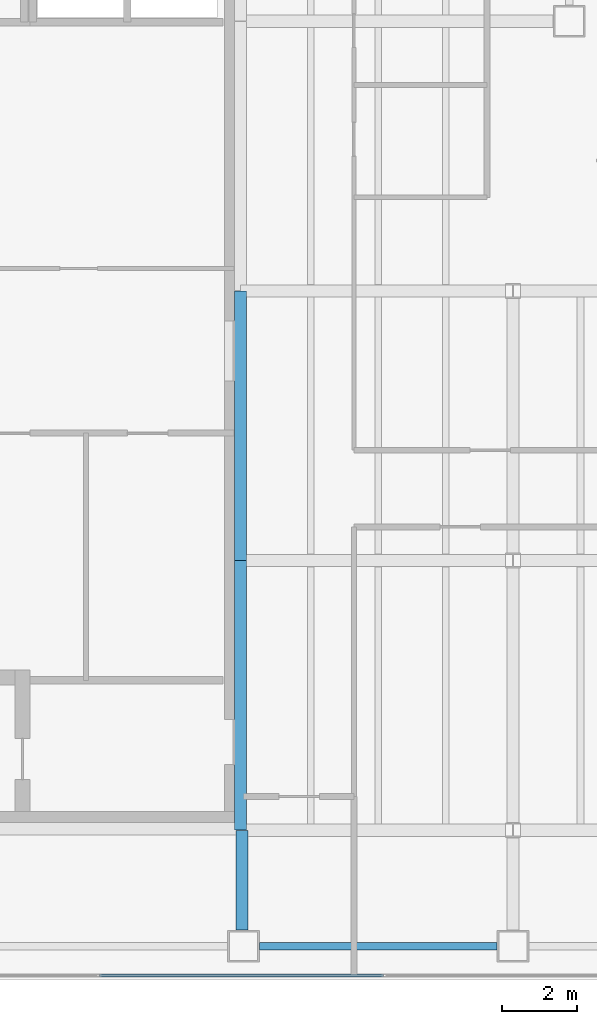
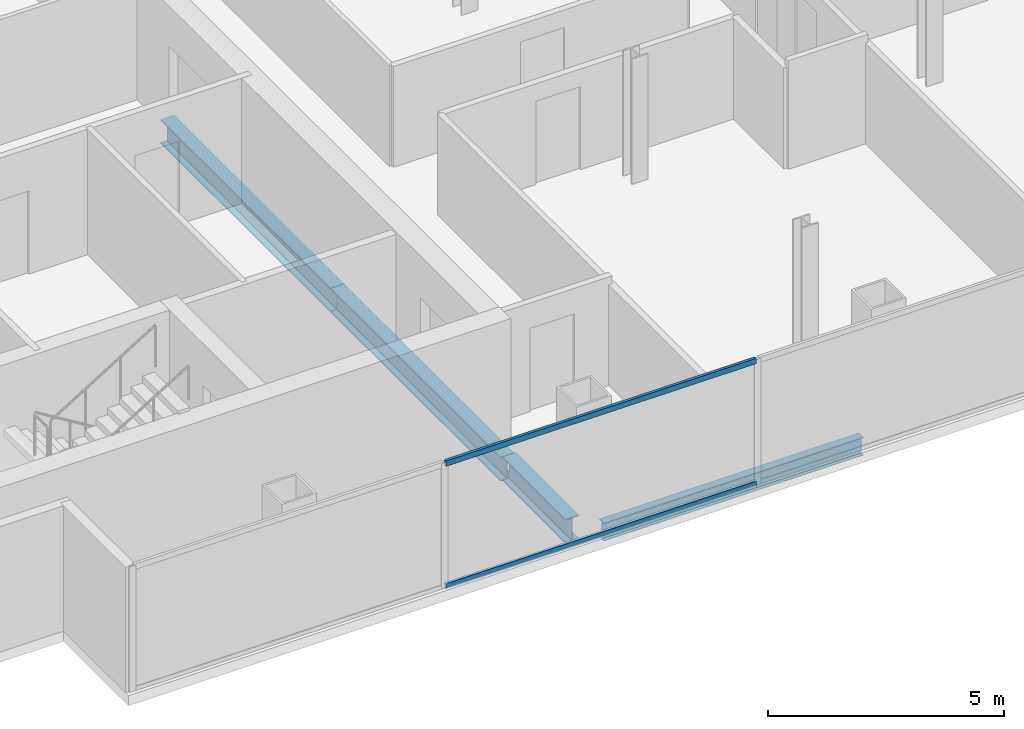
# One storey, part 3 of 23: 4 beams, 2 members, 1 element without a shape of its own.
"""IFC4 building model written with IfcOpenShell, lengths in metres."""

from ifc_helpers import new_model, si_unit, direction, frame, origin, origin_2d, place, context, subcontext, project, spatial, hollow_rectangle, i_section, extrude, material, material_profile, profile_set, type_object, element, aggregate, save


model = new_model("IFC4")

# Units and contexts
model_context = context("Model", 3, precision=1e-05, world=origin(), true_north=direction((0.0, 1.0)))
body_context = subcontext(model_context, "Body", "Model", "MODEL_VIEW")
ifc_project = project(units=[si_unit("LENGTHUNIT", "METRE"), si_unit("AREAUNIT", "SQUARE_METRE"), si_unit("VOLUMEUNIT", "CUBIC_METRE"), si_unit("PLANEANGLEUNIT", "RADIAN"), si_unit("MASSUNIT", "GRAM", prefix="KILO")], contexts=[model_context])

# Site, building, storey
site_placement = place(None, origin())
site = spatial("IfcSite", under=ifc_project, at=site_placement, CompositionType="ELEMENT")
building_placement = place(site_placement, origin())
building = spatial("IfcBuilding", under=site, at=building_placement, Name="Cobrela Telecom Tower", CompositionType="ELEMENT")
storey_placement = place(building_placement, frame((0.0, 0.0, 180.25)))
storey = spatial("IfcBuildingStorey", under=building, at=storey_placement, Name="L45", CompositionType="ELEMENT", Elevation=180.25)

# Beams
ifc_material_1 = material(Name="Steel ASTM A992 Grade 50", Category="steel")
ifc_material_profile_1 = material_profile(ifc_material_1, i_section(OverallWidth=0.327880859375, OverallDepth=0.6220703125, WebThickness=0.015380859375, FlangeThickness=0.0244140625, FilletRadius=0.014892578125, at=origin_2d()), Name="W24X131")
ifc_profile_set_1 = profile_set([ifc_material_profile_1], Name="Steel ASTM A992 Grade 50")
beam_type_1 = type_object("IfcBeamType", Name="BM-GIRD-06", PredefinedType="USERDEFINED", material=ifc_profile_set_1)
beam_1_placement = place(storey_placement, frame((14.360107421875, 4.530029296875, -0.571044921875), z_axis=(0.0, 1.0, 0.0), x_axis=(-1.0, 0.0, 0.0)))
element("IfcBeam", 1, at=beam_1_placement, inside=storey, type_object=beam_type_1, Name="L45 Primary Girder Y26", ObjectType="GIRDER", PredefinedType="USERDEFINED", context=body_context, shape_type="SweptSolid", body=[
    extrude(i_section(OverallWidth=0.327880859375, OverallDepth=0.6220703125, WebThickness=0.015380859375, FlangeThickness=0.0244140625, FilletRadius=0.014892578125, at=origin_2d()), origin(), (0.0, 0.0, 1.0), 2.6650390625),
])
for number, where, z_axis, x_axis, name in (
    (2, (14.320068359375, 7.205078125, -0.571044921875), (0.0, 1.0, 0.0), (-1.0, 0.0, 0.0), "L45 Primary Girder Y27"),
    (3, (14.320068359375, 14.405029296875, -0.571044921875), (0.0, 1.0, 0.0), (-1.0, 0.0, 0.0), "L45 Primary Girder Y28"),
):
    element("IfcBeam", number, at=place(storey_placement, frame(where, z_axis=z_axis, x_axis=x_axis)), inside=storey, type_object=beam_type_1, Name=name, ObjectType="GIRDER", PredefinedType="USERDEFINED", context=body_context, shape_type="SweptSolid", body=[
        extrude(i_section(OverallWidth=0.327880859375, OverallDepth=0.6220703125, WebThickness=0.015380859375, FlangeThickness=0.0244140625, FilletRadius=0.014892578125, at=origin_2d()), origin(), (0.0, 0.0, 1.0), 7.18994140625),
    ])
ifc_material_profile_2 = material_profile(ifc_material_1, i_section(OverallWidth=0.193115234375, OverallDepth=0.467041015625, WebThickness=0.011474609375, FlangeThickness=0.01904296875, FilletRadius=0.012939453125, at=origin_2d()), Name="W18X65")
ifc_profile_set_2 = profile_set([ifc_material_profile_2], Name="Steel ASTM A992 Grade 50")
beam_type_2 = type_object("IfcBeamType", Name="BM-SPAND-05", PredefinedType="SPANDREL", material=ifc_profile_set_2)
beam_2_placement = place(storey_placement, frame((14.830078125, 4.10009765625, -0.493408203125), z_axis=(1.0, 0.0, 0.0), x_axis=(0.0, 1.0, 0.0)))
element("IfcBeam", 4, at=beam_2_placement, inside=storey, type_object=beam_type_2, Name="L45 Perimeter Spandrel X02", PredefinedType="SPANDREL", context=body_context, shape_type="SweptSolid", body=[
    extrude(i_section(OverallWidth=0.193115234375, OverallDepth=0.467041015625, WebThickness=0.011474609375, FlangeThickness=0.01904296875, FilletRadius=0.012939453125, at=origin_2d()), origin(), (0.0, 0.0, 1.0), 6.33984375),
])

# Curtain wall, members
ifc_material_2 = material(Name="Anodized Bronze Aluminium 6063-T6", Category="aluminium")
curtain_wall_type = type_object("IfcCurtainWallType", Name="CW-SYS-OFF-LO", PredefinedType="USERDEFINED", material=ifc_material_2)
curtain_wall_placement = place(storey_placement, origin())
curtain_wall = element("IfcCurtainWall", 5, at=curtain_wall_placement, inside=storey, type_object=curtain_wall_type, Name="L45 Unitised Bronze Curtain Wall 17", ObjectType="UNITISED CURTAIN WALL", PredefinedType="USERDEFINED")
ifc_material_profile_3 = material_profile(ifc_material_2, hollow_rectangle(XDim=0.070068359375, YDim=0.139892578125, WallThickness=0.00390625, at=origin_2d()), Name="ALU 70x140x4")
ifc_profile_set_3 = profile_set([ifc_material_profile_3], Name="Anodized Bronze Aluminium 6063-T6")
member_type = type_object("IfcMemberType", Name="CW-SYS-OFF-LO-TRN", PredefinedType="USERDEFINED", material=ifc_profile_set_3)
member_1_placement = place(storey_placement, frame((18.138916015625, 3.320068359375, 0.034912109375), z_axis=(-1.0, 0.0, 0.0), x_axis=(0.0, -1.0, 0.0)))
member_1 = element("IfcMember", 6, at=member_1_placement, type_object=member_type, Name="CW-OFF-LO transom 4.1", ObjectType="TRANSOM", PredefinedType="USERDEFINED", context=body_context, shape_type="SweptSolid", body=[
    extrude(hollow_rectangle(XDim=0.070068359375, YDim=0.139892578125, WallThickness=0.00390625, at=origin_2d()), origin(), (0.0, 0.0, 1.0), 7.58203125),
])
member_2_placement = place(storey_placement, frame((18.138916015625, 3.320068359375, 3.205078125), z_axis=(-1.0, 0.0, 0.0), x_axis=(0.0, -1.0, 0.0)))
member_2 = element("IfcMember", 7, at=member_2_placement, type_object=member_type, Name="CW-OFF-LO transom 4.2", ObjectType="TRANSOM", PredefinedType="USERDEFINED", context=body_context, shape_type="SweptSolid", body=[
    extrude(hollow_rectangle(XDim=0.070068359375, YDim=0.139892578125, WallThickness=0.00390625, at=origin_2d()), origin(), (0.0, 0.0, 1.0), 7.58203125),
])
aggregate(curtain_wall, [member_1, member_2])

save(model, "model.ifc")
